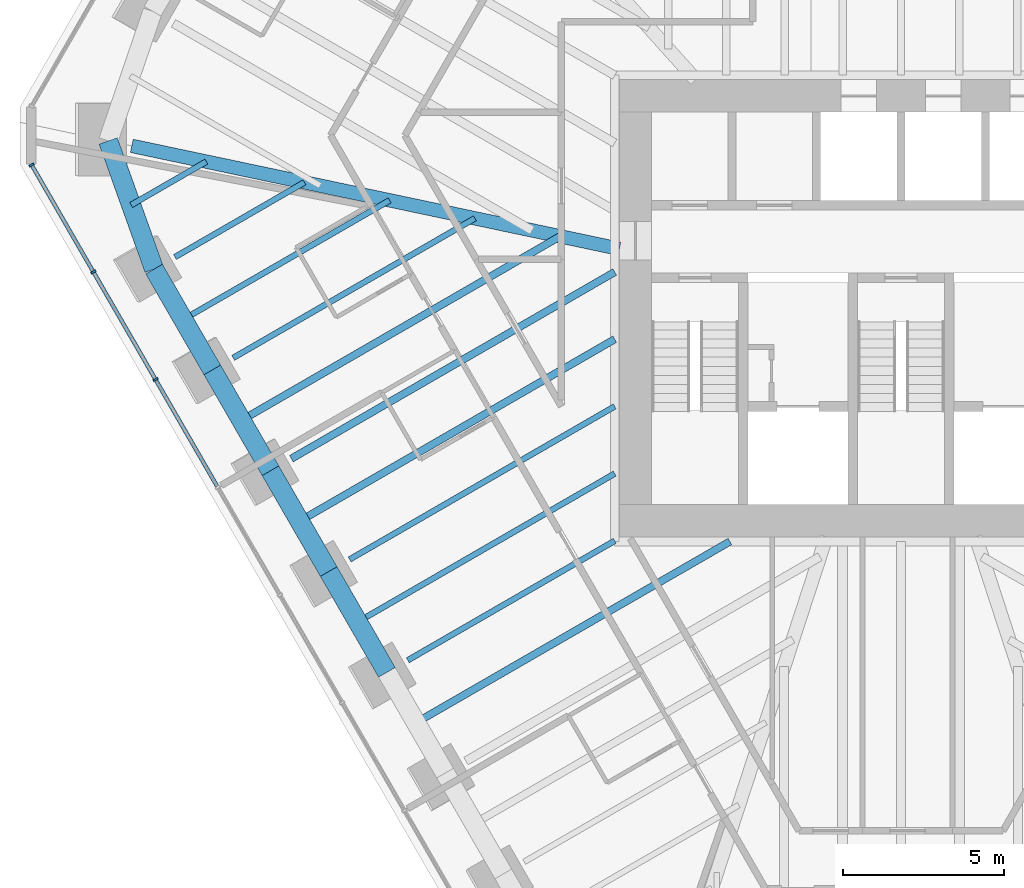
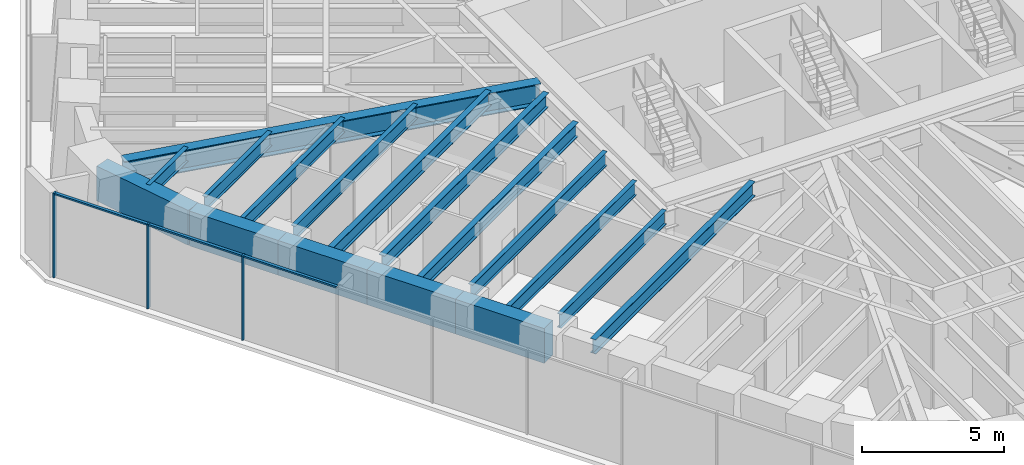
# One storey, part 3 of 17: 17 beams, 6 members, 1 element without a shape of its own.
"""IFC4 building model written with IfcOpenShell, lengths in metres."""

from ifc_helpers import new_model, si_unit, direction, frame, origin, origin_2d, place, context, subcontext, project, spatial, rectangle, i_section, extrude, material, material_profile, profile_set, type_object, element, aggregate, save


model = new_model("IFC4")

# Units and contexts
model_context = context("Model", 3, precision=1e-05, world=origin(), true_north=direction((0.0, 1.0)))
body_context = subcontext(model_context, "Body", "Model", "MODEL_VIEW")
ifc_project = project(units=[si_unit("LENGTHUNIT", "METRE"), si_unit("AREAUNIT", "SQUARE_METRE"), si_unit("VOLUMEUNIT", "CUBIC_METRE"), si_unit("PLANEANGLEUNIT", "RADIAN"), si_unit("MASSUNIT", "GRAM", prefix="KILO")], contexts=[model_context])

# Site, building, storey
site_placement = place(None, origin())
site = spatial("IfcSite", under=ifc_project, at=site_placement, CompositionType="ELEMENT")
building_placement = place(site_placement, origin())
building = spatial("IfcBuilding", under=site, at=building_placement, Name="Sandreach Pilgrim Tower", CompositionType="ELEMENT")
storey_placement = place(building_placement, frame((0.0, 0.0, 236.39990234375)))
storey = spatial("IfcBuildingStorey", under=building, at=storey_placement, Name="L59", CompositionType="ELEMENT", Elevation=236.39990234375)

# Curtain wall, members
ifc_material_1 = material(Name="Aluminium framed curtain wall", Category="aluminium")
curtain_wall_type = type_object("IfcCurtainWallType", Name="Upper hotel tower curtain wall", PredefinedType="NOTDEFINED", material=ifc_material_1)
curtain_wall_placement = place(storey_placement, origin())
curtain_wall = element("IfcCurtainWall", 1, at=curtain_wall_placement, inside=storey, type_object=curtain_wall_type, Name="CW-3 L59 SW", PredefinedType="NOTDEFINED")
ifc_material_2 = material(Name="Aluminium extrusion", Category="aluminium")
ifc_material_profile_1 = material_profile(ifc_material_2, rectangle(XDim=0.06494140625, YDim=0.159912109375, at=origin_2d()), Name="CW-3M 65X160")
ifc_profile_set_1 = profile_set([ifc_material_profile_1], Name="Aluminium extrusion")
member_type_1 = type_object("IfcMemberType", Name="CW-3 mullion", PredefinedType="MULLION", material=ifc_profile_set_1)
member_1_placement = place(storey_placement, frame((-23.15576171875, -2.21337890625, 0.0), z_axis=(0.0, 0.0, 1.0), x_axis=(-0.5, 0.866025403784, 0.0)))
member_1 = element("IfcMember", 2, at=member_1_placement, type_object=member_type_1, Name="CW-3 mullion 8", PredefinedType="MULLION", context=body_context, shape_type="SweptSolid", body=[
    extrude(rectangle(XDim=0.06494140625, YDim=0.159912109375, at=origin_2d()), origin(), (0.0, 0.0, 1.0), 3.64013671875),
])
member_2_placement = place(storey_placement, frame((-25.087890625, 1.13330078125, 0.0), z_axis=(0.0, 0.0, 1.0), x_axis=(-0.5, 0.866025403784, 0.0)))
member_2 = element("IfcMember", 3, at=member_2_placement, type_object=member_type_1, Name="CW-3 mullion 9", PredefinedType="MULLION", context=body_context, shape_type="SweptSolid", body=[
    extrude(rectangle(XDim=0.06494140625, YDim=0.159912109375, at=origin_2d()), origin(), (0.0, 0.0, 1.0), 3.64013671875),
])
member_3_placement = place(storey_placement, frame((-27.00390625, 4.451904296875, 0.0), z_axis=(0.0, 0.0, 1.0), x_axis=(-0.5, 0.866025403784, 0.0)))
member_3 = element("IfcMember", 4, at=member_3_placement, type_object=member_type_1, Name="CW-3 mullion 10", PredefinedType="MULLION", context=body_context, shape_type="SweptSolid", body=[
    extrude(rectangle(XDim=0.06494140625, YDim=0.159912109375, at=origin_2d()), origin(), (0.0, 0.0, 1.0), 3.64013671875),
])
ifc_material_3 = material(Name="Aluminium extrusion", Category="aluminium")
ifc_material_profile_2 = material_profile(ifc_material_3, rectangle(XDim=0.1201171875, YDim=0.070068359375, at=origin_2d()), Name="CW-3T 120X70")
ifc_profile_set_2 = profile_set([ifc_material_profile_2], Name="Aluminium extrusion")
member_type_2 = type_object("IfcMemberType", Name="CW-3 transom", PredefinedType="USERDEFINED", material=ifc_profile_set_2)
member_4_placement = place(storey_placement, frame((-21.23974609375, -5.531982421875, 3.60498046875), z_axis=(-0.499974606132, 0.866040064445, 0.0), x_axis=(-0.866040064445, -0.499974606132, 0.0)))
member_4 = element("IfcMember", 5, at=member_4_placement, type_object=member_type_2, Name="CW-3 head transom 7", ObjectType="TRANSOM", PredefinedType="USERDEFINED", context=body_context, shape_type="SweptSolid", body=[
    extrude(rectangle(XDim=0.1201171875, YDim=0.070068359375, at=origin_2d()), origin(), (0.0, 0.0, 1.0), 3.799560546875),
])
member_5_placement = place(storey_placement, frame((-23.171875, -2.185302734375, 3.60498046875), z_axis=(-0.500022797313, 0.86601224135, 0.0), x_axis=(-0.86601224135, -0.500022797313, 0.0)))
member_5 = element("IfcMember", 6, at=member_5_placement, type_object=member_type_2, Name="CW-3 head transom 8", ObjectType="TRANSOM", PredefinedType="USERDEFINED", context=body_context, shape_type="SweptSolid", body=[
    extrude(rectangle(XDim=0.1201171875, YDim=0.070068359375, at=origin_2d()), origin(), (0.0, 0.0, 1.0), 3.799560546875),
])
member_6_placement = place(storey_placement, frame((-25.104248046875, 1.161376953125, 3.60498046875), z_axis=(-0.499944992379, 0.86605716012, 0.0), x_axis=(-0.86605716012, -0.499944992379, 0.0)))
member_6 = element("IfcMember", 7, at=member_6_placement, type_object=member_type_2, Name="CW-3 head transom 9", ObjectType="TRANSOM", PredefinedType="USERDEFINED", context=body_context, shape_type="SweptSolid", body=[
    extrude(rectangle(XDim=0.1201171875, YDim=0.070068359375, at=origin_2d()), origin(), (0.0, 0.0, 1.0), 3.76708984375),
])
aggregate(curtain_wall, [member_1, member_2, member_3, member_4, member_5, member_6])

# Beams
ifc_material_4 = material(Name="Steel ASTM A992 Grade 50", Category="steel")
ifc_material_profile_3 = material_profile(ifc_material_4, i_section(OverallWidth=0.421630859375, OverallDepth=0.937255859375, WebThickness=0.0224609375, FlangeThickness=0.039794921875, at=origin_2d()), Name="W36X282")
ifc_profile_set_3 = profile_set([ifc_material_profile_3], Name="Steel ASTM A992 Grade 50")
beam_type_1 = type_object("IfcBeamType", Name="Corner girder W36X282", PredefinedType="BEAM", material=ifc_profile_set_3)
beam_1_placement = place(storey_placement, frame((-23.89306640625, 5.044677734375, 3.17138671875), z_axis=(0.978429112113, -0.206582846745, 0.0), x_axis=(0.206582846745, 0.978429112113, 0.0)))
element("IfcBeam", 8, at=beam_1_placement, inside=storey, type_object=beam_type_1, Name="BM L59 CG35", PredefinedType="BEAM", context=body_context, shape_type="SweptSolid", body=[
    extrude(i_section(OverallWidth=0.421630859375, OverallDepth=0.937255859375, WebThickness=0.0224609375, FlangeThickness=0.039794921875, at=origin_2d()), origin(), (0.0, 0.0, 1.0), 15.476806640625),
])
ifc_material_5 = material(Name="Steel ASTM A992 Grade 50", Category="steel")
ifc_material_profile_4 = material_profile(ifc_material_5, i_section(OverallWidth=0.1787109375, OverallDepth=0.60205078125, WebThickness=0.010986328125, FlangeThickness=0.014892578125, at=origin_2d()), Name="W24X62")
ifc_profile_set_4 = profile_set([ifc_material_profile_4], Name="Steel ASTM A992 Grade 50")
beam_type_2 = type_object("IfcBeamType", Name="Floor beam W24X62", PredefinedType="BEAM", material=ifc_profile_set_4)
beam_2_placement = place(storey_placement, frame((-15.32080078125, -10.932861328125, 3.339111328125), z_axis=(0.866023987038, 0.500002453868, 0.0), x_axis=(-0.500002453868, 0.866023987038, 0.0)))
element("IfcBeam", 9, at=beam_2_placement, inside=storey, type_object=beam_type_2, Name="BM L59 F30", PredefinedType="BEAM", context=body_context, shape_type="SweptSolid", body=[
    extrude(i_section(OverallWidth=0.1787109375, OverallDepth=0.60205078125, WebThickness=0.010986328125, FlangeThickness=0.014892578125, at=origin_2d()), origin(), (0.0, 0.0, 1.0), 7.421875),
])
beam_3_placement = place(storey_placement, frame((-17.128662109375, -7.8017578125, 3.339111328125), z_axis=(0.866027396848, 0.499996547896, 0.0), x_axis=(-0.499996547896, 0.866027396848, 0.0)))
element("IfcBeam", 10, at=beam_3_placement, inside=storey, type_object=beam_type_2, Name="BM L59 F31", PredefinedType="BEAM", context=body_context, shape_type="SweptSolid", body=[
    extrude(i_section(OverallWidth=0.1787109375, OverallDepth=0.60205078125, WebThickness=0.010986328125, FlangeThickness=0.014892578125, at=origin_2d()), origin(), (0.0, 0.0, 1.0), 9.50927734375),
])
beam_4_placement = place(storey_placement, frame((-20.743896484375, -1.539794921875, 3.339111328125), z_axis=(0.866019559589, 0.500010122307, 0.0), x_axis=(-0.500010122307, 0.866019559589, 0.0)))
element("IfcBeam", 11, at=beam_4_placement, inside=storey, type_object=beam_type_2, Name="BM L59 F33", PredefinedType="BEAM", context=body_context, shape_type="SweptSolid", body=[
    extrude(i_section(OverallWidth=0.1787109375, OverallDepth=0.60205078125, WebThickness=0.010986328125, FlangeThickness=0.014892578125, at=origin_2d()), origin(), (0.0, 0.0, 1.0), 8.668701171875),
])
beam_5_placement = place(storey_placement, frame((-22.5517578125, 1.59130859375, 3.339111328125), z_axis=(0.866020945878, 0.500007721242, 0.0), x_axis=(-0.500007721242, 0.866020945878, 0.0)))
element("IfcBeam", 12, at=beam_5_placement, inside=storey, type_object=beam_type_2, Name="BM L59 F34", PredefinedType="BEAM", context=body_context, shape_type="SweptSolid", body=[
    extrude(i_section(OverallWidth=0.1787109375, OverallDepth=0.60205078125, WebThickness=0.010986328125, FlangeThickness=0.014892578125, at=origin_2d()), origin(), (0.0, 0.0, 1.0), 4.642578125),
])
beam_6_placement = place(storey_placement, frame((-16.874267578125, -9.742431640625, 3.339111328125), z_axis=(0.866020589223, 0.500008338972, 0.0), x_axis=(-0.500008338972, 0.866020589223, 0.0)))
element("IfcBeam", 13, at=beam_6_placement, inside=storey, type_object=beam_type_2, Name="BM L59 FM30", PredefinedType="BEAM", context=body_context, shape_type="SweptSolid", body=[
    extrude(i_section(OverallWidth=0.1787109375, OverallDepth=0.60205078125, WebThickness=0.010986328125, FlangeThickness=0.014892578125, at=origin_2d()), origin(), (0.0, 0.0, 1.0), 9.215576171875),
])
beam_7_placement = place(storey_placement, frame((-22.29736328125, -0.34912109375, 3.339111328125), z_axis=(0.866039558193, 0.499975483044, 0.0), x_axis=(-0.499975483044, 0.866039558193, 0.0)))
element("IfcBeam", 14, at=beam_7_placement, inside=storey, type_object=beam_type_2, Name="BM L59 FM33", PredefinedType="BEAM", context=body_context, shape_type="SweptSolid", body=[
    extrude(i_section(OverallWidth=0.1787109375, OverallDepth=0.60205078125, WebThickness=0.010986328125, FlangeThickness=0.014892578125, at=origin_2d()), origin(), (0.0, 0.0, 1.0), 7.405517578125),
])
beam_8_placement = place(storey_placement, frame((-23.9140625, 3.2080078125, 3.339111328125), z_axis=(0.866055907267, 0.499947162696, 0.0), x_axis=(-0.499947162696, 0.866055907267, 0.0)))
element("IfcBeam", 15, at=beam_8_placement, inside=storey, type_object=beam_type_2, Name="BM L59 FM34", PredefinedType="BEAM", context=body_context, shape_type="SweptSolid", body=[
    extrude(i_section(OverallWidth=0.1787109375, OverallDepth=0.60205078125, WebThickness=0.010986328125, FlangeThickness=0.014892578125, at=origin_2d()), origin(), (0.0, 0.0, 1.0), 2.696044921875),
])
ifc_material_6 = material(Name="Steel ASTM A992 Grade 50", Category="steel")
ifc_material_profile_5 = material_profile(ifc_material_6, i_section(OverallWidth=0.23046875, OverallDepth=0.6171875, WebThickness=0.01318359375, FlangeThickness=0.022216796875, at=origin_2d()), Name="W24X94")
ifc_profile_set_5 = profile_set([ifc_material_profile_5], Name="Steel ASTM A992 Grade 50")
beam_type_3 = type_object("IfcBeamType", Name="Floor beam W24X94", PredefinedType="BEAM", material=ifc_profile_set_5)
beam_9_placement = place(storey_placement, frame((-18.936279296875, -4.6708984375, 3.33154296875), z_axis=(0.86602431599, 0.50000188411, 0.0), x_axis=(-0.50000188411, 0.86602431599, 0.0)))
element("IfcBeam", 16, at=beam_9_placement, inside=storey, type_object=beam_type_3, Name="BM L59 F32", PredefinedType="BEAM", context=body_context, shape_type="SweptSolid", body=[
    extrude(i_section(OverallWidth=0.23046875, OverallDepth=0.6171875, WebThickness=0.01318359375, FlangeThickness=0.022216796875, at=origin_2d()), origin(), (0.0, 0.0, 1.0), 11.5966796875),
])
beam_10_placement = place(storey_placement, frame((-15.066650390625, -12.873291015625, 3.33154296875), z_axis=(0.866035747859, 0.499982083109, 0.0), x_axis=(-0.499982083109, 0.866035747859, 0.0)))
element("IfcBeam", 17, at=beam_10_placement, inside=storey, type_object=beam_type_3, Name="BM L59 FM29", PredefinedType="BEAM", context=body_context, shape_type="SweptSolid", body=[
    extrude(i_section(OverallWidth=0.23046875, OverallDepth=0.6171875, WebThickness=0.01318359375, FlangeThickness=0.022216796875, at=origin_2d()), origin(), (0.0, 0.0, 1.0), 11.26025390625),
])
beam_11_placement = place(storey_placement, frame((-18.681884765625, -6.611328125, 3.33154296875), z_axis=(0.86602803846, 0.499995436581, 0.0), x_axis=(-0.499995436581, 0.86602803846, 0.0)))
element("IfcBeam", 18, at=beam_11_placement, inside=storey, type_object=beam_type_3, Name="BM L59 FM31", PredefinedType="BEAM", context=body_context, shape_type="SweptSolid", body=[
    extrude(i_section(OverallWidth=0.23046875, OverallDepth=0.6171875, WebThickness=0.01318359375, FlangeThickness=0.022216796875, at=origin_2d()), origin(), (0.0, 0.0, 1.0), 11.302734375),
])
beam_12_placement = place(storey_placement, frame((-20.48974609375, -3.480224609375, 3.33154296875), z_axis=(0.866022704618, 0.500004675065, 0.0), x_axis=(-0.500004675065, 0.866022704618, 0.0)))
element("IfcBeam", 19, at=beam_12_placement, inside=storey, type_object=beam_type_3, Name="BM L59 FM32", PredefinedType="BEAM", context=body_context, shape_type="SweptSolid", body=[
    extrude(i_section(OverallWidth=0.23046875, OverallDepth=0.6171875, WebThickness=0.01318359375, FlangeThickness=0.022216796875, at=origin_2d()), origin(), (0.0, 0.0, 1.0), 11.43212890625),
])
ifc_material_7 = material(Name="Concrete 10000 psi", Category="concrete")
ifc_material_profile_6 = material_profile(ifc_material_7, rectangle(XDim=0.60009765625, YDim=1.5, at=origin_2d()), Name="RC600X1500")
ifc_profile_set_6 = profile_set([ifc_material_profile_6], Name="Concrete 10000 psi")
beam_type_4 = type_object("IfcBeamType", Name="Spandrel beam RC600X1500", PredefinedType="SPANDREL", material=ifc_profile_set_6)
beam_13_placement = place(storey_placement, frame((-15.970458984375, -11.307861328125, 2.89013671875), z_axis=(-0.499973805724, 0.866040526528, 0.0), x_axis=(-0.866040526528, -0.499973805724, 0.0)))
element("IfcBeam", 20, at=beam_13_placement, inside=storey, type_object=beam_type_4, Name="BM L59 SP30", PredefinedType="SPANDREL", context=body_context, shape_type="SweptSolid", body=[
    extrude(rectangle(XDim=0.60009765625, YDim=1.5, at=origin_2d()), origin(), (0.0, 0.0, 1.0), 3.615478515625),
])
beam_14_placement = place(storey_placement, frame((-17.778076171875, -8.1767578125, 2.89013671875), z_axis=(-0.500003046405, 0.866023644935, 0.0), x_axis=(-0.866023644935, -0.500003046405, 0.0)))
element("IfcBeam", 21, at=beam_14_placement, inside=storey, type_object=beam_type_4, Name="BM L59 SP31", PredefinedType="SPANDREL", context=body_context, shape_type="SweptSolid", body=[
    extrude(rectangle(XDim=0.60009765625, YDim=1.5, at=origin_2d()), origin(), (0.0, 0.0, 1.0), 3.615234375),
])
for number, where, z_axis, x_axis, name in (
    (22, (-19.585693359375, -5.0458984375, 2.89013671875), (-0.500024450573, 0.866011286779, 0.0), (-0.866011286779, -0.500024450573, 0.0), "BM L59 SP32"),
    (23, (-21.3935546875, -1.914794921875, 2.89013671875), (-0.499973805724, 0.866040526528, 0.0), (-0.866040526528, -0.499973805724, 0.0), "BM L59 SP33"),
):
    element("IfcBeam", number, at=place(storey_placement, frame(where, z_axis=z_axis, x_axis=x_axis)), inside=storey, type_object=beam_type_4, Name=name, PredefinedType="SPANDREL", context=body_context, shape_type="SweptSolid", body=[
        extrude(rectangle(XDim=0.60009765625, YDim=1.5, at=origin_2d()), origin(), (0.0, 0.0, 1.0), 3.615478515625),
    ])
beam_15_placement = place(storey_placement, frame((-23.201171875, 1.21630859375, 2.89013671875), z_axis=(-0.336961457624, 0.941518441708, 0.0), x_axis=(-0.941518441708, -0.336961457624, 0.0)))
element("IfcBeam", 24, at=beam_15_placement, inside=storey, type_object=beam_type_4, Name="BM L59 SP34", PredefinedType="SPANDREL", context=body_context, shape_type="SweptSolid", body=[
    extrude(rectangle(XDim=0.60009765625, YDim=1.5, at=origin_2d()), origin(), (0.0, 0.0, 1.0), 4.23046875),
])

save(model, "model.ifc")
